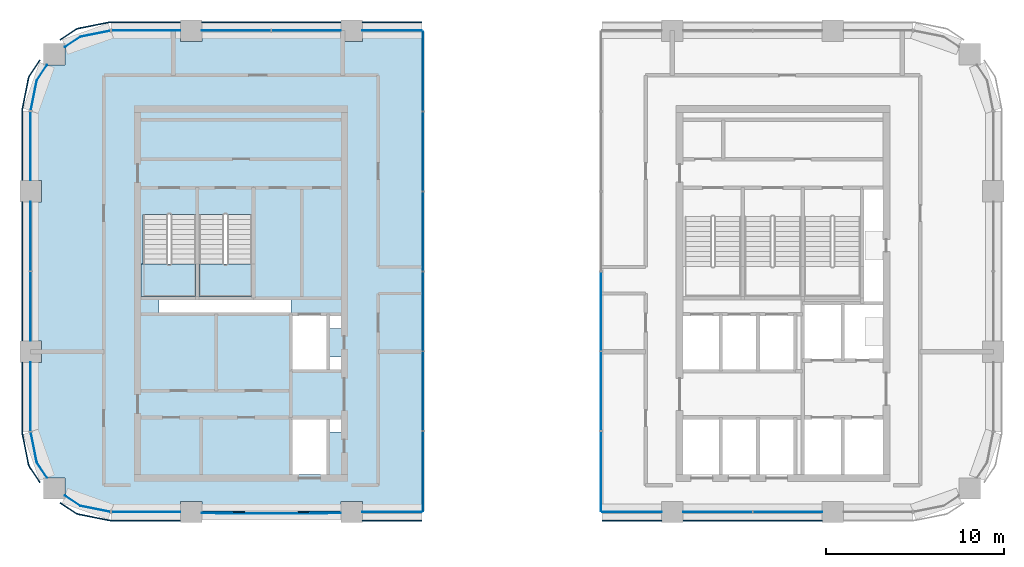
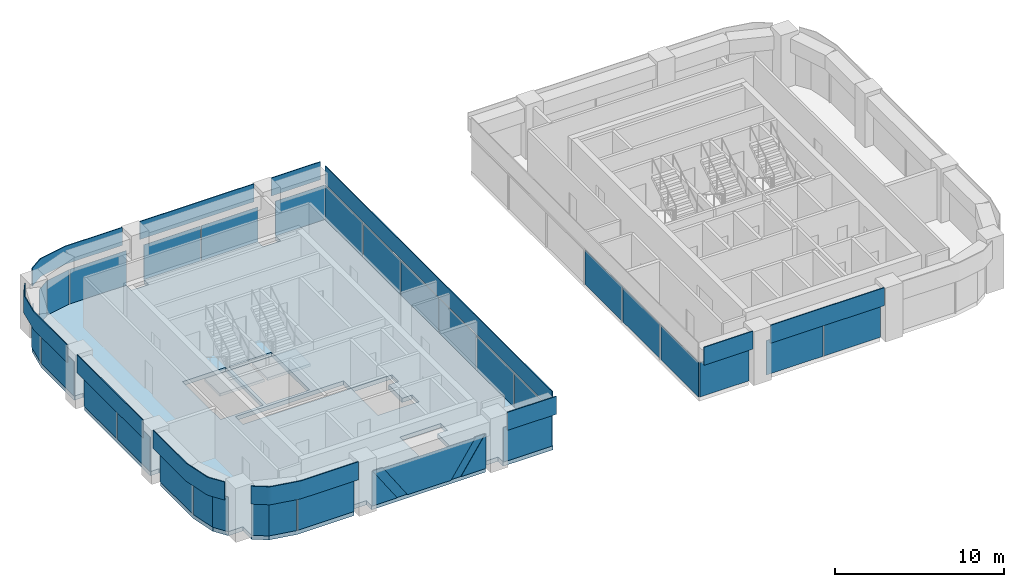
# One storey, part 4 of 11: 42 plates, 3 slabs, 15 elements without a shape of their own.
"""IFC4 building model written with IfcOpenShell, lengths in metres."""

from ifc_helpers import new_model, si_unit, direction, frame, origin, origin_2d, place, context, subcontext, project, spatial, polyline, rectangle, outline, extrude, material, layer, layer_set, type_object, element, aggregate, save


model = new_model("IFC4")

# Units and contexts
model_context = context("Model", 3, precision=1e-05, world=origin(), true_north=direction((0.0, 1.0)))
body_context = subcontext(model_context, "Body", "Model", "MODEL_VIEW")
ifc_project = project(units=[si_unit("LENGTHUNIT", "METRE"), si_unit("AREAUNIT", "SQUARE_METRE"), si_unit("VOLUMEUNIT", "CUBIC_METRE"), si_unit("PLANEANGLEUNIT", "RADIAN"), si_unit("MASSUNIT", "GRAM", prefix="KILO")], contexts=[model_context])

# Site, building, storey
site_placement = place(None, origin())
site = spatial("IfcSite", under=ifc_project, at=site_placement, CompositionType="ELEMENT")
building_placement = place(site_placement, origin())
building = spatial("IfcBuilding", under=site, at=building_placement, Name="Tessera Arch", CompositionType="ELEMENT")
storey_placement = place(building_placement, frame((0.0, 0.0, 211.10009765625)))
storey = spatial("IfcBuildingStorey", under=building, at=storey_placement, Name="L50", CompositionType="ELEMENT", Elevation=211.10009765625)

# Curtain wall, plate
ifc_material_1 = material(Name="CW1 curtain wall")
curtain_wall_type_1 = type_object("IfcCurtainWallType", Name="CW1 curtain wall", PredefinedType="NOTDEFINED", material=ifc_material_1)
curtain_wall_1_placement = place(storey_placement, origin())
curtain_wall_1 = element("IfcCurtainWall", 1, at=curtain_wall_1_placement, inside=storey, type_object=curtain_wall_type_1, Name="CW1 curtain wall S27.0/1 L50", PredefinedType="NOTDEFINED")
ifc_material_2 = material(Name="Clear low-e glass", Category="glass")
ifc_material_3 = material(Name="Clear low-e glass", Category="glass")
ifc_layer_1 = layer(ifc_material_3, 0.028076171875)
ifc_layer_set_1 = layer_set([ifc_layer_1], Name="CW1 glass panel")
plate_type_1 = type_object("IfcPlateType", Name="CW1 glass panel", PredefinedType="CURTAIN_PANEL", material=ifc_layer_set_1)
plate_1_placement = place(storey_placement, frame((20.27490234375, 27.0, 0.0), z_axis=(0.0, 0.0, 1.0), x_axis=(1.0, 0.0, 0.0)))
plate_1 = element("IfcPlate", 2, at=plate_1_placement, type_object=plate_type_1, material=ifc_material_2, Name="CW1 glass panel S27.0/1 1.1.1", PredefinedType="CURTAIN_PANEL", context=body_context, shape_type="SweptSolid", body=[
    extrude(rectangle(XDim=3.35009765625, YDim=0.028076171875, at=origin_2d()), origin(), (0.0, 0.0, 1.0), 2.5),
])

curtain_wall_2_placement = place(storey_placement, origin())
curtain_wall_2 = element("IfcCurtainWall", 3, at=curtain_wall_2_placement, inside=storey, type_object=curtain_wall_type_1, Name="CW1 curtain wall N54.0/0 L50", PredefinedType="NOTDEFINED")
plate_2_placement = place(storey_placement, frame((20.27490234375, 54.0, 0.0), z_axis=(0.0, 0.0, 1.0), x_axis=(-1.0, 0.0, 0.0)))
plate_2 = element("IfcPlate", 4, at=plate_2_placement, type_object=plate_type_1, material=ifc_material_2, Name="CW1 glass panel N54.0/0 1.1.1", PredefinedType="CURTAIN_PANEL", context=body_context, shape_type="SweptSolid", body=[
    extrude(rectangle(XDim=3.35009765625, YDim=0.028076171875, at=origin_2d()), origin(), (0.0, 0.0, 1.0), 2.5),
])

# Curtain wall, plates
curtain_wall_3_placement = place(storey_placement, origin())
curtain_wall_3 = element("IfcCurtainWall", 5, at=curtain_wall_3_placement, inside=storey, type_object=curtain_wall_type_1, Name="CW1 curtain wall N54.0/1 L50", PredefinedType="NOTDEFINED")
plate_3_placement = place(storey_placement, frame((15.465087890625, 54.0, 0.0), z_axis=(0.0, 0.0, 1.0), x_axis=(-1.0, 0.0, 0.0)))
plate_3 = element("IfcPlate", 6, at=plate_3_placement, type_object=plate_type_1, material=ifc_material_2, Name="CW1 glass panel N54.0/1 1.1.1", PredefinedType="CURTAIN_PANEL", context=body_context, shape_type="SweptSolid", body=[
    extrude(rectangle(XDim=3.8701171875, YDim=0.028076171875, at=origin_2d()), origin(), (0.0, 0.0, 1.0), 2.5),
])
plate_4_placement = place(storey_placement, frame((11.534912109375, 54.0, 0.0), z_axis=(0.0, 0.0, 1.0), x_axis=(-1.0, 0.0, 0.0)))
plate_4 = element("IfcPlate", 7, at=plate_4_placement, type_object=plate_type_1, material=ifc_material_2, Name="CW1 glass panel N54.0/1 1.2.1", PredefinedType="CURTAIN_PANEL", context=body_context, shape_type="SweptSolid", body=[
    extrude(rectangle(XDim=3.8701171875, YDim=0.028076171875, at=origin_2d()), origin(), (0.0, 0.0, 1.0), 2.5),
])

curtain_wall_4_placement = place(storey_placement, origin())
curtain_wall_4 = element("IfcCurtainWall", 8, at=curtain_wall_4_placement, inside=storey, type_object=curtain_wall_type_1, Name="CW1 curtain wall W0.27/1 L50", PredefinedType="NOTDEFINED")
plate_5_placement = place(storey_placement, frame((0.0, 42.465087890625, 0.0), z_axis=(0.0, 0.0, 1.0), x_axis=(0.0, -1.0, 0.0)))
plate_5 = element("IfcPlate", 9, at=plate_5_placement, type_object=plate_type_1, material=ifc_material_2, Name="CW1 glass panel W0.27/1 1.1.1", PredefinedType="CURTAIN_PANEL", context=body_context, shape_type="SweptSolid", body=[
    extrude(rectangle(XDim=3.8701171875, YDim=0.028076171875, at=origin_2d()), origin(), (0.0, 0.0, 1.0), 2.5),
])
plate_6_placement = place(storey_placement, frame((0.0, 38.534912109375, 0.0), z_axis=(0.0, 0.0, 1.0), x_axis=(0.0, -1.0, 0.0)))
plate_6 = element("IfcPlate", 10, at=plate_6_placement, type_object=plate_type_1, material=ifc_material_2, Name="CW1 glass panel W0.27/1 1.2.1", PredefinedType="CURTAIN_PANEL", context=body_context, shape_type="SweptSolid", body=[
    extrude(rectangle(XDim=3.8701171875, YDim=0.028076171875, at=origin_2d()), origin(), (0.0, 0.0, 1.0), 2.5),
])

# Curtain wall, plate
curtain_wall_5_placement = place(storey_placement, origin())
curtain_wall_5 = element("IfcCurtainWall", 11, at=curtain_wall_5_placement, inside=storey, type_object=curtain_wall_type_1, Name="CW1 curtain wall S27.32/0 L50", PredefinedType="NOTDEFINED")
plate_7_placement = place(storey_placement, frame((33.72509765625, 27.0, 0.0), z_axis=(0.0, 0.0, 1.0), x_axis=(1.0, 0.0, 0.0)))
plate_7 = element("IfcPlate", 12, at=plate_7_placement, type_object=plate_type_1, material=ifc_material_2, Name="CW1 glass panel S27.32/0 1.1.1", PredefinedType="CURTAIN_PANEL", context=body_context, shape_type="SweptSolid", body=[
    extrude(rectangle(XDim=3.35009765625, YDim=0.028076171875, at=origin_2d()), origin(), (0.0, 0.0, 1.0), 2.5),
])

# Curtain wall, plates
curtain_wall_6_placement = place(storey_placement, origin())
curtain_wall_6 = element("IfcCurtainWall", 13, at=curtain_wall_6_placement, inside=storey, type_object=curtain_wall_type_1, Name="CW1 curtain wall S27.32/1 L50", PredefinedType="NOTDEFINED")
plate_8_placement = place(storey_placement, frame((38.534912109375, 27.0, 0.0), z_axis=(0.0, 0.0, 1.0), x_axis=(1.0, 0.0, 0.0)))
plate_8 = element("IfcPlate", 14, at=plate_8_placement, type_object=plate_type_1, material=ifc_material_2, Name="CW1 glass panel S27.32/1 1.1.1", PredefinedType="CURTAIN_PANEL", context=body_context, shape_type="SweptSolid", body=[
    extrude(rectangle(XDim=3.8701171875, YDim=0.028076171875, at=origin_2d()), origin(), (0.0, 0.0, 1.0), 2.5),
])
plate_9_placement = place(storey_placement, frame((42.465087890625, 27.0, 0.0), z_axis=(0.0, 0.0, 1.0), x_axis=(1.0, 0.0, 0.0)))
plate_9 = element("IfcPlate", 15, at=plate_9_placement, type_object=plate_type_1, material=ifc_material_2, Name="CW1 glass panel S27.32/1 1.2.1", PredefinedType="CURTAIN_PANEL", context=body_context, shape_type="SweptSolid", body=[
    extrude(rectangle(XDim=3.8701171875, YDim=0.028076171875, at=origin_2d()), origin(), (0.0, 0.0, 1.0), 2.5),
])

# Plate
ifc_material_4 = material(Name="Pale anodised aluminium panel", Category="aluminium")
ifc_layer_2 = layer(ifc_material_4, 0.06005859375)
ifc_layer_set_2 = layer_set([ifc_layer_2], Name="CW1 spandrel panel")
plate_type_2 = type_object("IfcPlateType", Name="CW1 spandrel panel", PredefinedType="CURTAIN_PANEL", material=ifc_layer_set_2)
plate_10_placement = place(storey_placement, frame((20.27490234375, 26.52001953125, 2.60009765625), z_axis=(0.0, 0.0, 1.0), x_axis=(1.0, 0.0, 0.0)))
plate_10 = element("IfcPlate", 16, at=plate_10_placement, type_object=plate_type_2, Name="CW1 spandrel panel S27.0/1", PredefinedType="CURTAIN_PANEL", context=body_context, shape_type="SweptSolid", body=[
    extrude(rectangle(XDim=3.35009765625, YDim=0.06005859375, at=origin_2d()), origin(), (0.0, 0.0, 1.0), 1.300048828125),
])

aggregate(curtain_wall_1, [plate_1, plate_10])

plate_11_placement = place(storey_placement, frame((20.27490234375, 54.47998046875, 2.60009765625), z_axis=(0.0, 0.0, 1.0), x_axis=(-1.0, 0.0, 0.0)))
plate_11 = element("IfcPlate", 17, at=plate_11_placement, type_object=plate_type_2, Name="CW1 spandrel panel N54.0/0", PredefinedType="CURTAIN_PANEL", context=body_context, shape_type="SweptSolid", body=[
    extrude(rectangle(XDim=3.35009765625, YDim=0.06005859375, at=origin_2d()), origin(), (0.0, 0.0, 1.0), 1.300048828125),
])

aggregate(curtain_wall_2, [plate_2, plate_11])

plate_12_placement = place(storey_placement, frame((13.5, 54.47998046875, 2.60009765625), z_axis=(0.0, 0.0, 1.0), x_axis=(-1.0, 0.0, 0.0)))
plate_12 = element("IfcPlate", 18, at=plate_12_placement, type_object=plate_type_2, Name="CW1 spandrel panel N54.0/1", PredefinedType="CURTAIN_PANEL", context=body_context, shape_type="SweptSolid", body=[
    extrude(rectangle(XDim=7.800048828125, YDim=0.06005859375, at=origin_2d()), origin(), (0.0, 0.0, 1.0), 1.300048828125),
])

aggregate(curtain_wall_3, [plate_3, plate_4, plate_12])

plate_13_placement = place(storey_placement, frame((-0.47998046875, 40.5, 2.60009765625), z_axis=(0.0, 0.0, 1.0), x_axis=(0.0, -1.0, 0.0)))
plate_13 = element("IfcPlate", 19, at=plate_13_placement, type_object=plate_type_2, Name="CW1 spandrel panel W0.27/1", PredefinedType="CURTAIN_PANEL", context=body_context, shape_type="SweptSolid", body=[
    extrude(rectangle(XDim=7.800048828125, YDim=0.06005859375, at=origin_2d()), origin(), (0.0, 0.0, 1.0), 1.300048828125),
])

aggregate(curtain_wall_4, [plate_5, plate_6, plate_13])

plate_14_placement = place(storey_placement, frame((33.72509765625, 26.52001953125, 2.60009765625), z_axis=(0.0, 0.0, 1.0), x_axis=(1.0, 0.0, 0.0)))
plate_14 = element("IfcPlate", 20, at=plate_14_placement, type_object=plate_type_2, Name="CW1 spandrel panel S27.32/0", PredefinedType="CURTAIN_PANEL", context=body_context, shape_type="SweptSolid", body=[
    extrude(rectangle(XDim=3.35009765625, YDim=0.06005859375, at=origin_2d()), origin(), (0.0, 0.0, 1.0), 1.300048828125),
])

aggregate(curtain_wall_5, [plate_7, plate_14])

plate_15_placement = place(storey_placement, frame((40.5, 26.52001953125, 2.60009765625), z_axis=(0.0, 0.0, 1.0), x_axis=(1.0, 0.0, 0.0)))
plate_15 = element("IfcPlate", 21, at=plate_15_placement, type_object=plate_type_2, Name="CW1 spandrel panel S27.32/1", PredefinedType="CURTAIN_PANEL", context=body_context, shape_type="SweptSolid", body=[
    extrude(rectangle(XDim=7.800048828125, YDim=0.06005859375, at=origin_2d()), origin(), (0.0, 0.0, 1.0), 1.300048828125),
])

aggregate(curtain_wall_6, [plate_8, plate_9, plate_15])

# Curtain wall, plates
ifc_material_5 = material(Name="CW2 curtain wall")
curtain_wall_type_2 = type_object("IfcCurtainWallType", Name="CW2 curtain wall", PredefinedType="NOTDEFINED", material=ifc_material_5)
curtain_wall_7_placement = place(storey_placement, origin())
curtain_wall_7 = element("IfcCurtainWall", 22, at=curtain_wall_7_placement, inside=storey, type_object=curtain_wall_type_2, Name="CW2 curtain wall N54.0/2 L50", PredefinedType="NOTDEFINED")
ifc_material_6 = material(Name="Clear low-e glass", Category="glass")
ifc_layer_3 = layer(ifc_material_6, 0.028076171875)
ifc_layer_set_3 = layer_set([ifc_layer_3], Name="CW2 glass panel")
plate_type_3 = type_object("IfcPlateType", Name="CW2 glass panel", PredefinedType="CURTAIN_PANEL", material=ifc_layer_set_3)
plate_16_placement = place(storey_placement, frame((6.469970703125, 54.0, 0.0), z_axis=(0.0, 0.0, 1.0), x_axis=(-1.0, 0.0, 0.0)))
plate_16 = element("IfcPlate", 23, at=plate_16_placement, type_object=plate_type_3, material=ifc_material_2, Name="CW2 glass panel N54.0/2 1.1", PredefinedType="CURTAIN_PANEL", context=body_context, shape_type="SweptSolid", body=[
    extrude(rectangle(XDim=3.860107421875, YDim=0.028076171875, at=origin_2d()), origin(), (0.0, 0.0, 1.0), 2.5),
])
plate_17_placement = place(storey_placement, origin())
plate_17 = element("IfcPlate", 24, at=plate_17_placement, type_object=plate_type_3, material=ifc_material_2, Name="CW2 curved glass panel N54.0/2 2.1", PredefinedType="CURTAIN_PANEL", context=body_context, shape_type="SweptSolid", body=[
    extrude(outline(polyline([(2.783447265625, 53.644287109375), (4.46337890625, 53.978515625), (4.4580078125, 54.005859375), (2.7724609375, 53.670654296875), (1.91015625, 53.094482421875), (1.92578125, 53.0712890625), (2.783447265625, 53.644287109375)])), origin(), (0.0, 0.0, 1.0), 2.5),
])

curtain_wall_8_placement = place(storey_placement, origin())
curtain_wall_8 = element("IfcCurtainWall", 25, at=curtain_wall_8_placement, inside=storey, type_object=curtain_wall_type_2, Name="CW2 curtain wall W0.27/0 L50", PredefinedType="NOTDEFINED")
plate_18_placement = place(storey_placement, frame((0.0, 47.530029296875, 0.0), z_axis=(0.0, 0.0, 1.0), x_axis=(0.0, -1.0, 0.0)))
plate_18 = element("IfcPlate", 26, at=plate_18_placement, type_object=plate_type_3, material=ifc_material_2, Name="CW2 glass panel W0.27/0 1.1", PredefinedType="CURTAIN_PANEL", context=body_context, shape_type="SweptSolid", body=[
    extrude(rectangle(XDim=3.860107421875, YDim=0.028076171875, at=origin_2d()), origin(), (0.0, 0.0, 1.0), 2.5),
])
plate_19_placement = place(storey_placement, origin())
plate_19 = element("IfcPlate", 27, at=plate_19_placement, type_object=plate_type_3, material=ifc_material_2, Name="CW2 curved glass panel W0.27/0 2.1", PredefinedType="CURTAIN_PANEL", context=body_context, shape_type="SweptSolid", body=[
    extrude(outline(polyline([(0.355712890625, 51.216552734375), (0.9287109375, 52.07421875), (0.905517578125, 52.08984375), (0.329345703125, 51.2275390625), (-0.005859375, 49.5419921875), (0.021484375, 49.53662109375), (0.355712890625, 51.216552734375)])), origin(), (0.0, 0.0, 1.0), 2.5),
])

curtain_wall_9_placement = place(storey_placement, origin())
curtain_wall_9 = element("IfcCurtainWall", 28, at=curtain_wall_9_placement, inside=storey, type_object=curtain_wall_type_2, Name="CW2 curtain wall W0.27/2 L50", PredefinedType="NOTDEFINED")
plate_20_placement = place(storey_placement, frame((0.0, 33.469970703125, 0.0), z_axis=(0.0, 0.0, 1.0), x_axis=(0.0, -1.0, 0.0)))
plate_20 = element("IfcPlate", 29, at=plate_20_placement, type_object=plate_type_3, material=ifc_material_2, Name="CW2 glass panel W0.27/2 1.1", PredefinedType="CURTAIN_PANEL", context=body_context, shape_type="SweptSolid", body=[
    extrude(rectangle(XDim=3.860107421875, YDim=0.028076171875, at=origin_2d()), origin(), (0.0, 0.0, 1.0), 2.5),
])
plate_21_placement = place(storey_placement, origin())
plate_21 = element("IfcPlate", 30, at=plate_21_placement, type_object=plate_type_3, material=ifc_material_2, Name="CW2 curved glass panel W0.27/2 2.1", PredefinedType="CURTAIN_PANEL", context=body_context, shape_type="SweptSolid", body=[
    extrude(outline(polyline([(0.355712890625, 29.783447265625), (0.021484375, 31.46337890625), (-0.005859375, 31.4580078125), (0.329345703125, 29.7724609375), (0.905517578125, 28.91015625), (0.9287109375, 28.92578125), (0.355712890625, 29.783447265625)])), origin(), (0.0, 0.0, 1.0), 2.5),
])

curtain_wall_10_placement = place(storey_placement, origin())
curtain_wall_10 = element("IfcCurtainWall", 31, at=curtain_wall_10_placement, inside=storey, type_object=curtain_wall_type_2, Name="CW2 curtain wall S27.0/2 L50", PredefinedType="NOTDEFINED")
plate_22_placement = place(storey_placement, frame((6.469970703125, 27.0, 0.0), z_axis=(0.0, 0.0, 1.0), x_axis=(1.0, 0.0, 0.0)))
plate_22 = element("IfcPlate", 32, at=plate_22_placement, type_object=plate_type_3, material=ifc_material_2, Name="CW2 glass panel S27.0/2 1.1", PredefinedType="CURTAIN_PANEL", context=body_context, shape_type="SweptSolid", body=[
    extrude(rectangle(XDim=3.860107421875, YDim=0.028076171875, at=origin_2d()), origin(), (0.0, 0.0, 1.0), 2.5),
])
plate_23_placement = place(storey_placement, origin())
plate_23 = element("IfcPlate", 33, at=plate_23_placement, type_object=plate_type_3, material=ifc_material_2, Name="CW2 curved glass panel S27.0/2 2.1", PredefinedType="CURTAIN_PANEL", context=body_context, shape_type="SweptSolid", body=[
    extrude(outline(polyline([(2.783447265625, 27.355712890625), (1.92578125, 27.9287109375), (1.91015625, 27.905517578125), (2.7724609375, 27.329345703125), (4.4580078125, 26.994140625), (4.46337890625, 27.021484375), (2.783447265625, 27.355712890625)])), origin(), (0.0, 0.0, 1.0), 2.5),
])

# Plate
ifc_material_7 = material(Name="Pale anodised aluminium panel", Category="aluminium")
ifc_layer_4 = layer(ifc_material_7, 0.06005859375)
ifc_layer_set_4 = layer_set([ifc_layer_4], Name="CW2 spandrel panel")
plate_type_4 = type_object("IfcPlateType", Name="CW2 spandrel panel", PredefinedType="CURTAIN_PANEL", material=ifc_layer_set_4)
plate_24_placement = place(storey_placement, frame((0.0, 0.0, 2.599853515625)))
plate_24 = element("IfcPlate", 34, at=plate_24_placement, type_object=plate_type_4, Name="CW2 spandrel panel N54.0/2", PredefinedType="CURTAIN_PANEL", context=body_context, shape_type="SweptSolid", body=[
    extrude(outline(polyline([(4.500732421875, 54.449951171875), (8.39990234375, 54.449951171875), (8.39990234375, 54.510009765625), (4.499267578125, 54.510009765625), (4.449951171875, 54.507568359375), (4.401123046875, 54.500244140625), (2.677734375, 54.157470703125), (2.6298828125, 54.1455078125), (2.582763671875, 54.128662109375), (2.537353515625, 54.107421875), (2.4951171875, 54.08203125), (1.634765625, 53.5068359375), (1.66796875, 53.45703125), (2.52734375, 54.03125), (2.565673828125, 54.054443359375), (2.605712890625, 54.0732421875), (2.647216796875, 54.088134765625), (2.69091796875, 54.09912109375), (4.411376953125, 54.441162109375), (4.455810546875, 54.44775390625), (4.500732421875, 54.449951171875)])), origin(), (0.0, 0.0, 1.0), 1.300048828125),
])

aggregate(curtain_wall_7, [plate_16, plate_17, plate_24])

plate_25_placement = place(storey_placement, frame((0.0, 0.0, 2.599853515625)))
plate_25 = element("IfcPlate", 35, at=plate_25_placement, type_object=plate_type_4, Name="CW2 spandrel panel W0.27/0", PredefinedType="CURTAIN_PANEL", context=body_context, shape_type="SweptSolid", body=[
    extrude(outline(polyline([(-0.03125, 51.47265625), (0.54296875, 52.33203125), (0.4931640625, 52.365234375), (-0.08203125, 51.5048828125), (-0.107421875, 51.462646484375), (-0.128662109375, 51.417236328125), (-0.1455078125, 51.3701171875), (-0.157470703125, 51.322265625), (-0.500244140625, 49.598876953125), (-0.507568359375, 49.550048828125), (-0.510009765625, 49.500732421875), (-0.510009765625, 45.60009765625), (-0.449951171875, 45.60009765625), (-0.449951171875, 49.499267578125), (-0.44775390625, 49.544189453125), (-0.441162109375, 49.588623046875), (-0.09912109375, 51.30908203125), (-0.088134765625, 51.352783203125), (-0.0732421875, 51.394287109375), (-0.054443359375, 51.434326171875), (-0.03125, 51.47265625)])), origin(), (0.0, 0.0, 1.0), 1.300048828125),
])

aggregate(curtain_wall_8, [plate_18, plate_19, plate_25])

plate_26_placement = place(storey_placement, frame((0.0, 0.0, 2.599853515625)))
plate_26 = element("IfcPlate", 36, at=plate_26_placement, type_object=plate_type_4, Name="CW2 spandrel panel W0.27/2", PredefinedType="CURTAIN_PANEL", context=body_context, shape_type="SweptSolid", body=[
    extrude(outline(polyline([(-0.449951171875, 31.500732421875), (-0.449951171875, 35.39990234375), (-0.510009765625, 35.39990234375), (-0.510009765625, 31.499267578125), (-0.507568359375, 31.449951171875), (-0.500244140625, 31.401123046875), (-0.157470703125, 29.677734375), (-0.1455078125, 29.6298828125), (-0.128662109375, 29.582763671875), (-0.107421875, 29.537353515625), (-0.08203125, 29.4951171875), (0.4931640625, 28.634765625), (0.54296875, 28.66796875), (-0.03125, 29.52734375), (-0.054443359375, 29.565673828125), (-0.0732421875, 29.605712890625), (-0.088134765625, 29.647216796875), (-0.09912109375, 29.69091796875), (-0.441162109375, 31.411376953125), (-0.44775390625, 31.455810546875), (-0.449951171875, 31.500732421875)])), origin(), (0.0, 0.0, 1.0), 1.300048828125),
])

aggregate(curtain_wall_9, [plate_20, plate_21, plate_26])

plate_27_placement = place(storey_placement, frame((0.0, 0.0, 2.599853515625)))
plate_27 = element("IfcPlate", 37, at=plate_27_placement, type_object=plate_type_4, Name="CW2 spandrel panel S27.0/2", PredefinedType="CURTAIN_PANEL", context=body_context, shape_type="SweptSolid", body=[
    extrude(outline(polyline([(2.52734375, 26.96875), (1.66796875, 27.54296875), (1.634765625, 27.4931640625), (2.4951171875, 26.91796875), (2.537353515625, 26.892578125), (2.582763671875, 26.871337890625), (2.6298828125, 26.8544921875), (2.677734375, 26.842529296875), (4.401123046875, 26.499755859375), (4.449951171875, 26.492431640625), (4.499267578125, 26.489990234375), (8.39990234375, 26.489990234375), (8.39990234375, 26.550048828125), (4.500732421875, 26.550048828125), (4.455810546875, 26.55224609375), (4.411376953125, 26.558837890625), (2.69091796875, 26.90087890625), (2.647216796875, 26.911865234375), (2.605712890625, 26.9267578125), (2.565673828125, 26.945556640625), (2.52734375, 26.96875)])), origin(), (0.0, 0.0, 1.0), 1.300048828125),
])

aggregate(curtain_wall_10, [plate_22, plate_23, plate_27])

# Curtain wall, plates
ifc_material_8 = material(Name="CW3 curtain wall")
curtain_wall_type_3 = type_object("IfcCurtainWallType", Name="CW3 curtain wall", PredefinedType="NOTDEFINED", material=ifc_material_8)
curtain_wall_11_placement = place(storey_placement, origin())
curtain_wall_11 = element("IfcCurtainWall", 38, at=curtain_wall_11_placement, inside=storey, type_object=curtain_wall_type_3, Name="CW3 curtain wall S27.0/0 L50", PredefinedType="NOTDEFINED")
ifc_material_9 = material(Name="Pale anodised aluminium panel", Category="aluminium")
ifc_layer_5 = layer(ifc_material_9, 0.06005859375)
ifc_layer_set_5 = layer_set([ifc_layer_5], Name="CW3 diagonal panel")
plate_type_5 = type_object("IfcPlateType", Name="CW3 diagonal panel", PredefinedType="CURTAIN_PANEL", material=ifc_layer_set_5)
plate_28_placement = place(storey_placement, frame((17.3466796875, 26.969970703125, 2.5), z_axis=(0.0, -1.0, 0.0), x_axis=(-1.0, 0.0, 0.0)))
plate_28 = element("IfcPlate", 39, at=plate_28_placement, type_object=plate_type_5, Name="CW3 diagonal panel S27.0/0 1", PredefinedType="CURTAIN_PANEL", context=body_context, shape_type="SweptSolid", body=[
    extrude(outline(polyline([(0.0, 0.0), (0.693359375, 0.0), (2.360107421875, 2.5), (1.66650390625, 2.5), (0.0, 0.0)])), origin(), (0.0, 0.0, -1.0), 0.06005859375),
])
plate_29_placement = place(storey_placement, frame((10.3466796875, 26.969970703125, 2.5), z_axis=(0.0, -1.0, 0.0), x_axis=(-1.0, 0.0, 0.0)))
plate_29 = element("IfcPlate", 40, at=plate_29_placement, type_object=plate_type_5, Name="CW3 diagonal panel S27.0/0 2", PredefinedType="CURTAIN_PANEL", context=body_context, shape_type="SweptSolid", body=[
    extrude(outline(polyline([(0.0, 0.0), (0.693359375, 0.0), (-0.97314453125, 2.5), (-1.666748046875, 2.5), (0.0, 0.0)])), origin(), (0.0, 0.0, -1.0), 0.06005859375),
])
ifc_material_10 = material(Name="Clear low-e glass", Category="glass")
ifc_layer_6 = layer(ifc_material_10, 0.028076171875)
ifc_layer_set_6 = layer_set([ifc_layer_6], Name="CW3 glass panel")
plate_type_6 = type_object("IfcPlateType", Name="CW3 glass panel", PredefinedType="CURTAIN_PANEL", material=ifc_layer_set_6)
plate_30_placement = place(storey_placement, frame((9.60009765625, 26.94189453125, 0.0), z_axis=(0.0, -1.0, 0.0), x_axis=(1.0, 0.0, 0.0)))
plate_30 = element("IfcPlate", 41, at=plate_30_placement, type_object=plate_type_6, material=ifc_material_2, Name="CW3 triangulated glass panel S27.0/0 1", PredefinedType="CURTAIN_PANEL", context=body_context, shape_type="SweptSolid", body=[
    extrude(outline(polyline([(0.0, 0.0), (1.7197265625, 0.0), (0.05322265625, 2.5), (0.0, 2.5), (0.0, 0.0)])), origin(), (0.0, 0.0, -1.0), 0.028076171875),
])
plate_31_placement = place(storey_placement, frame((16.6533203125, 26.9140625, 2.5), z_axis=(0.0, -1.0, 0.0), x_axis=(-1.0, 0.0, 0.0)))
plate_31 = element("IfcPlate", 42, at=plate_31_placement, type_object=plate_type_6, material=ifc_material_2, Name="CW3 triangulated glass panel S27.0/0 2", PredefinedType="CURTAIN_PANEL", context=body_context, shape_type="SweptSolid", body=[
    extrude(outline(polyline([(0.0, 0.0), (6.306640625, 0.0), (4.639892578125, 2.5), (1.666748046875, 2.5), (0.0, 0.0)])), origin(), (0.0, 0.0, -1.0), 0.028076171875),
])
plate_32_placement = place(storey_placement, frame((17.39990234375, 26.94189453125, 2.5), z_axis=(0.0, -1.0, 0.0), x_axis=(-1.0, 0.0, 0.0)))
plate_32 = element("IfcPlate", 43, at=plate_32_placement, type_object=plate_type_6, material=ifc_material_2, Name="CW3 triangulated glass panel S27.0/0 3", PredefinedType="CURTAIN_PANEL", context=body_context, shape_type="SweptSolid", body=[
    extrude(outline(polyline([(0.0, 0.0), (0.05322265625, 0.0), (1.7197265625, 2.5), (0.0, 2.5), (0.0, 0.0)])), origin(), (0.0, 0.0, -1.0), 0.028076171875),
])
aggregate(curtain_wall_11, [plate_30, plate_31, plate_32, plate_28, plate_29])

ifc_material_11 = material(Name="CW5 curtain wall")
curtain_wall_type_4 = type_object("IfcCurtainWallType", Name="CW5 curtain wall", PredefinedType="NOTDEFINED", material=ifc_material_11)
curtain_wall_12_placement = place(storey_placement, origin())
curtain_wall_12 = element("IfcCurtainWall", 44, at=curtain_wall_12_placement, inside=storey, type_object=curtain_wall_type_4, Name="CW5 curtain wall E22.27/0 L50", PredefinedType="NOTDEFINED")
ifc_material_12 = material(Name="Clear low-e glass", Category="glass")
ifc_layer_7 = layer(ifc_material_12, 0.028076171875)
ifc_layer_set_7 = layer_set([ifc_layer_7], Name="CW5 glass panel")
plate_type_7 = type_object("IfcPlateType", Name="CW5 glass panel", PredefinedType="CURTAIN_PANEL", material=ifc_layer_set_7)
plate_33_placement = place(storey_placement, frame((22.0, 29.271728515625, 0.0), z_axis=(0.0, 0.0, 1.0), x_axis=(0.0, 1.0, 0.0)))
plate_33 = element("IfcPlate", 45, at=plate_33_placement, type_object=plate_type_7, material=ifc_material_2, Name="CW5 glass panel E22.27/0 1.1.1", PredefinedType="CURTAIN_PANEL", context=body_context, shape_type="SweptSolid", body=[
    extrude(rectangle(XDim=4.443359375, YDim=0.028076171875, at=origin_2d()), origin(), (0.0, 0.0, 1.0), 2.5),
])
plate_34_placement = place(storey_placement, frame((22.0, 33.77490234375, 0.0), z_axis=(0.0, 0.0, 1.0), x_axis=(0.0, 1.0, 0.0)))
plate_34 = element("IfcPlate", 46, at=plate_34_placement, type_object=plate_type_7, material=ifc_material_2, Name="CW5 glass panel E22.27/0 1.2.1", PredefinedType="CURTAIN_PANEL", context=body_context, shape_type="SweptSolid", body=[
    extrude(rectangle(XDim=4.4033203125, YDim=0.028076171875, at=origin_2d()), origin(), (0.0, 0.0, 1.0), 2.5),
])
plate_35_placement = place(storey_placement, frame((22.0, 38.25830078125, 0.0), z_axis=(0.0, 0.0, 1.0), x_axis=(0.0, 1.0, 0.0)))
plate_35 = element("IfcPlate", 47, at=plate_35_placement, type_object=plate_type_7, material=ifc_material_2, Name="CW5 glass panel E22.27/0 1.3.1", PredefinedType="CURTAIN_PANEL", context=body_context, shape_type="SweptSolid", body=[
    extrude(rectangle(XDim=4.4033203125, YDim=0.028076171875, at=origin_2d()), origin(), (0.0, 0.0, 1.0), 2.5),
])
plate_36_placement = place(storey_placement, frame((22.0, 42.74169921875, 0.0), z_axis=(0.0, 0.0, 1.0), x_axis=(0.0, 1.0, 0.0)))
plate_36 = element("IfcPlate", 48, at=plate_36_placement, type_object=plate_type_7, material=ifc_material_2, Name="CW5 glass panel E22.27/0 1.4.1", PredefinedType="CURTAIN_PANEL", context=body_context, shape_type="SweptSolid", body=[
    extrude(rectangle(XDim=4.4033203125, YDim=0.028076171875, at=origin_2d()), origin(), (0.0, 0.0, 1.0), 2.5),
])
plate_37_placement = place(storey_placement, frame((22.0, 47.22509765625, 0.0), z_axis=(0.0, 0.0, 1.0), x_axis=(0.0, 1.0, 0.0)))
plate_37 = element("IfcPlate", 49, at=plate_37_placement, type_object=plate_type_7, material=ifc_material_2, Name="CW5 glass panel E22.27/0 1.5.1", PredefinedType="CURTAIN_PANEL", context=body_context, shape_type="SweptSolid", body=[
    extrude(rectangle(XDim=4.4033203125, YDim=0.028076171875, at=origin_2d()), origin(), (0.0, 0.0, 1.0), 2.5),
])
plate_38_placement = place(storey_placement, frame((22.0, 51.728271484375, 0.0), z_axis=(0.0, 0.0, 1.0), x_axis=(0.0, 1.0, 0.0)))
plate_38 = element("IfcPlate", 50, at=plate_38_placement, type_object=plate_type_7, material=ifc_material_2, Name="CW5 glass panel E22.27/0 1.6.1", PredefinedType="CURTAIN_PANEL", context=body_context, shape_type="SweptSolid", body=[
    extrude(rectangle(XDim=4.443359375, YDim=0.028076171875, at=origin_2d()), origin(), (0.0, 0.0, 1.0), 2.5),
])

curtain_wall_13_placement = place(storey_placement, origin())
curtain_wall_13 = element("IfcCurtainWall", 51, at=curtain_wall_13_placement, inside=storey, type_object=curtain_wall_type_4, Name="CW5 curtain wall W32.27/0 L50", PredefinedType="NOTDEFINED")
plate_39_placement = place(storey_placement, frame((32.0, 38.25830078125, 0.0), z_axis=(0.0, 0.0, 1.0), x_axis=(0.0, -1.0, 0.0)))
plate_39 = element("IfcPlate", 52, at=plate_39_placement, type_object=plate_type_7, material=ifc_material_2, Name="CW5 glass panel W32.27/0 1.4.1", PredefinedType="CURTAIN_PANEL", context=body_context, shape_type="SweptSolid", body=[
    extrude(rectangle(XDim=4.4033203125, YDim=0.028076171875, at=origin_2d()), origin(), (0.0, 0.0, 1.0), 2.5),
])
plate_40_placement = place(storey_placement, frame((32.0, 33.77490234375, 0.0), z_axis=(0.0, 0.0, 1.0), x_axis=(0.0, -1.0, 0.0)))
plate_40 = element("IfcPlate", 53, at=plate_40_placement, type_object=plate_type_7, material=ifc_material_2, Name="CW5 glass panel W32.27/0 1.5.1", PredefinedType="CURTAIN_PANEL", context=body_context, shape_type="SweptSolid", body=[
    extrude(rectangle(XDim=4.4033203125, YDim=0.028076171875, at=origin_2d()), origin(), (0.0, 0.0, 1.0), 2.5),
])
plate_41_placement = place(storey_placement, frame((32.0, 29.271728515625, 0.0), z_axis=(0.0, 0.0, 1.0), x_axis=(0.0, -1.0, 0.0)))
plate_41 = element("IfcPlate", 54, at=plate_41_placement, type_object=plate_type_7, material=ifc_material_2, Name="CW5 glass panel W32.27/0 1.6.1", PredefinedType="CURTAIN_PANEL", context=body_context, shape_type="SweptSolid", body=[
    extrude(rectangle(XDim=4.443359375, YDim=0.028076171875, at=origin_2d()), origin(), (0.0, 0.0, 1.0), 2.5),
])
aggregate(curtain_wall_13, [plate_39, plate_40, plate_41])

# Plate
ifc_material_13 = material(Name="Pale anodised aluminium panel", Category="aluminium")
ifc_layer_8 = layer(ifc_material_13, 0.06005859375)
ifc_layer_set_8 = layer_set([ifc_layer_8], Name="CW5 spandrel panel")
plate_type_8 = type_object("IfcPlateType", Name="CW5 spandrel panel", PredefinedType="CURTAIN_PANEL", material=ifc_layer_set_8)
plate_42_placement = place(storey_placement, frame((22.0, 40.5, 2.60009765625), z_axis=(0.0, 0.0, 1.0), x_axis=(0.0, 1.0, 0.0)))
plate_42 = element("IfcPlate", 55, at=plate_42_placement, type_object=plate_type_8, Name="CW5 spandrel panel E22.27/0", PredefinedType="CURTAIN_PANEL", context=body_context, shape_type="SweptSolid", body=[
    extrude(rectangle(XDim=26.89990234375, YDim=0.06005859375, at=origin_2d()), origin(), (0.0, 0.0, 1.0), 1.300048828125),
])

aggregate(curtain_wall_12, [plate_33, plate_34, plate_35, plate_36, plate_37, plate_38, plate_42])

# Slab
ifc_material_14 = material(Name="Concrete C40/50", Category="concrete")
ifc_layer_9 = layer(ifc_material_14, 0.300048828125)
ifc_layer_set_9 = layer_set([ifc_layer_9], Name="Floor slab 300 Concrete C40/50")
slab_type_1 = type_object("IfcSlabType", Name="Floor slab 300 Concrete C40/50", PredefinedType="FLOOR", material=ifc_layer_set_9)
slab_1_placement = place(storey_placement, frame((0.0, 0.0, -0.300048828125)))
element("IfcSlab", 56, at=slab_1_placement, inside=storey, type_object=slab_type_1, Name="Floor slab L50 1", PredefinedType="FLOOR", context=body_context, shape_type="SweptSolid", body=[
    extrude(outline(polyline([(1.91796875, 27.9169921875), (1.91796875, 28.91796875), (0.9169921875, 28.91796875), (0.342529296875, 29.77783203125), (0.0, 31.5), (0.0, 35.39990234375), (0.60009765625, 35.39990234375), (0.60009765625, 36.60009765625), (0.0, 36.60009765625), (0.0, 44.39990234375), (0.60009765625, 44.39990234375), (0.60009765625, 45.60009765625), (0.0, 45.60009765625), (0.0, 49.5), (0.342529296875, 51.22216796875), (0.9169921875, 52.08203125), (1.91796875, 52.08203125), (1.91796875, 53.0830078125), (2.77783203125, 53.657470703125), (4.5, 54.0), (8.39990234375, 54.0), (8.39990234375, 53.39990234375), (9.60009765625, 53.39990234375), (9.60009765625, 54.0), (17.39990234375, 54.0), (17.39990234375, 53.39990234375), (18.60009765625, 53.39990234375), (18.60009765625, 54.0), (22.0, 54.0), (22.0, 27.0), (18.60009765625, 27.0), (18.60009765625, 27.60009765625), (17.39990234375, 27.60009765625), (17.39990234375, 27.0), (9.60009765625, 27.0), (9.60009765625, 27.60009765625), (8.39990234375, 27.60009765625), (8.39990234375, 27.0), (4.5, 27.0), (2.77783203125, 27.342529296875), (1.91796875, 27.9169921875)]), holes=[polyline([(14.60009765625, 29.10009765625), (16.699951171875, 29.10009765625), (16.699951171875, 31.5), (17.39990234375, 31.5), (17.39990234375, 32.300048828125), (16.699951171875, 32.300048828125), (14.60009765625, 32.300048828125), (14.60009765625, 29.10009765625)]), polyline([(17.39990234375, 35.699951171875), (16.699951171875, 35.699951171875), (16.699951171875, 37.300048828125), (17.39990234375, 37.300048828125), (17.39990234375, 38.10009765625), (16.699951171875, 38.10009765625), (14.60498046875, 38.10009765625), (14.60498046875, 38.10498046875), (14.60009765625, 38.10498046875), (14.60009765625, 39.0), (7.199951171875, 39.0), (7.199951171875, 38.10009765625), (14.594970703125, 38.10009765625), (14.594970703125, 38.094970703125), (14.60009765625, 38.094970703125), (14.60009765625, 34.89990234375), (16.699951171875, 34.89990234375), (17.39990234375, 34.89990234375), (17.39990234375, 35.699951171875)]), polyline([(6.300048828125, 43.68994140625), (6.300048828125, 39.199951171875), (9.25, 39.199951171875), (9.25, 43.68994140625), (7.85009765625, 43.68994140625), (7.85009765625, 43.699951171875), (7.699951171875, 43.699951171875), (7.699951171875, 43.68994140625), (6.300048828125, 43.68994140625)]), polyline([(9.449951171875, 43.68994140625), (9.449951171875, 39.199951171875), (12.39990234375, 39.199951171875), (12.39990234375, 43.68994140625), (11.0, 43.68994140625), (11.0, 43.699951171875), (10.85009765625, 43.699951171875), (10.85009765625, 43.68994140625), (9.449951171875, 43.68994140625)])]), origin(), (0.0, 0.0, 1.0), 0.300048828125),
])

# Stair, slab
ifc_material_15 = material(Name="Concrete C40/50", Category="concrete")
stair_type = type_object("IfcStairType", Name="Dogleg stair 1400", PredefinedType="HALF_TURN_STAIR", material=ifc_material_15)
stair_1_placement = place(storey_placement, origin())
stair_1 = element("IfcStair", 57, at=stair_1_placement, inside=storey, type_object=stair_type, Name="L50 S2a", PredefinedType="HALF_TURN_STAIR")
ifc_material_16 = material(Name="Concrete C40/50", Category="concrete")
ifc_layer_10 = layer(ifc_material_16, 0.300048828125)
ifc_layer_set_10 = layer_set([ifc_layer_10], Name="Stair landing 300")
slab_type_2 = type_object("IfcSlabType", Name="Stair landing 300", PredefinedType="LANDING", material=ifc_layer_set_10)
slab_2_placement = place(storey_placement, frame((0.0, 0.0, 1.75)))
slab_2 = element("IfcSlab", 58, at=slab_2_placement, type_object=slab_type_2, Name="S2a landing 1", PredefinedType="LANDING", context=body_context, shape_type="SweptSolid", body=[
    extrude(outline(polyline([(6.199951171875, 40.89990234375), (6.199951171875, 39.10009765625), (9.25, 39.10009765625), (9.25, 40.89990234375), (6.199951171875, 40.89990234375)])), origin(), (0.0, 0.0, 1.0), 0.199951171875),
])
aggregate(stair_1, [slab_2])

stair_2_placement = place(storey_placement, origin())
stair_2 = element("IfcStair", 59, at=stair_2_placement, inside=storey, type_object=stair_type, Name="L50 S2b", PredefinedType="HALF_TURN_STAIR")
slab_3_placement = place(storey_placement, frame((0.0, 0.0, 1.75)))
slab_3 = element("IfcSlab", 60, at=slab_3_placement, type_object=slab_type_2, Name="S2b landing 1", PredefinedType="LANDING", context=body_context, shape_type="SweptSolid", body=[
    extrude(outline(polyline([(9.449951171875, 40.89990234375), (9.449951171875, 39.10009765625), (12.39990234375, 39.10009765625), (12.39990234375, 40.89990234375), (9.449951171875, 40.89990234375)])), origin(), (0.0, 0.0, 1.0), 0.199951171875),
])
aggregate(stair_2, [slab_3])

save(model, "model.ifc")
